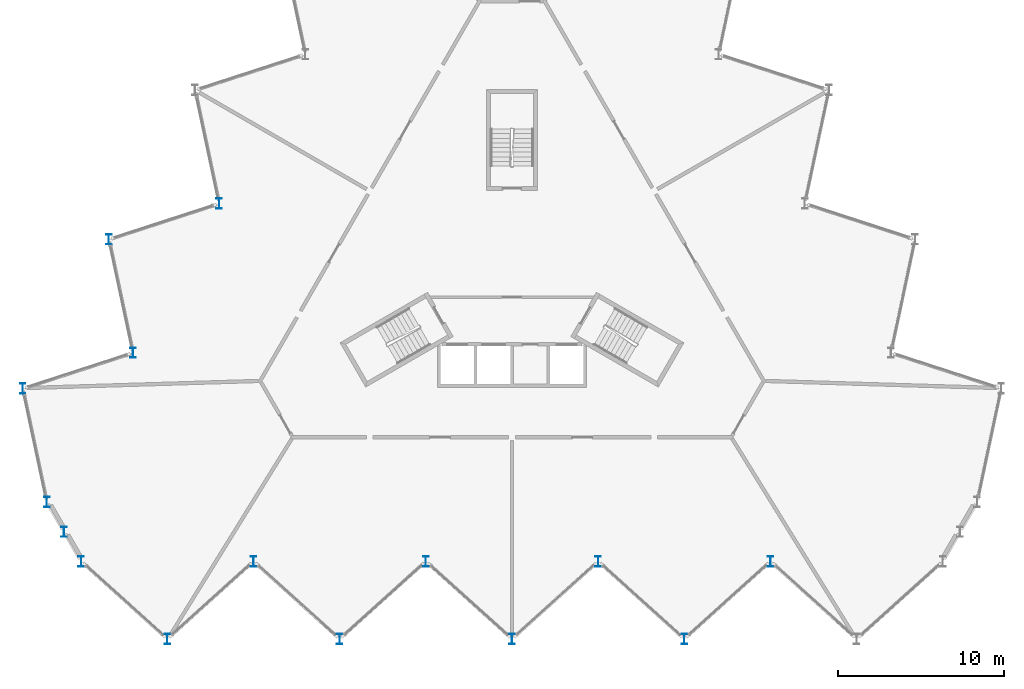
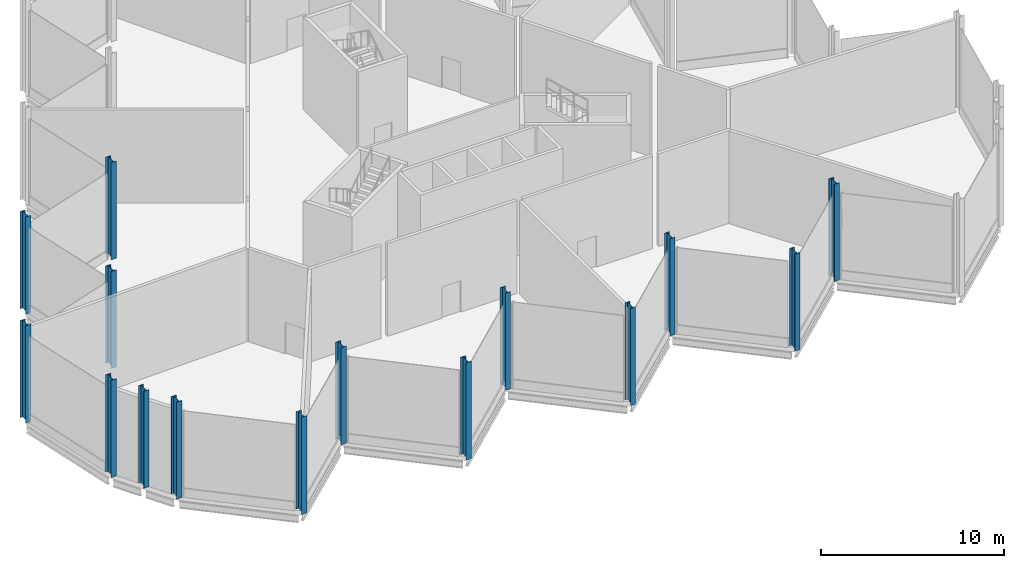
# One storey, part 1 of 12: 15 columns.
"""IFC4 building model written with IfcOpenShell, lengths in metres."""

from ifc_helpers import new_model, si_unit, direction, frame, origin, origin_2d, place, context, subcontext, project, spatial, i_section, extrude, material, material_profile, profile_set, type_object, element, save


model = new_model("IFC4")

# Units and contexts
model_context = context("Model", 3, precision=1e-05, world=origin(), true_north=direction((0.0, 1.0)))
body_context = subcontext(model_context, "Body", "Model", "MODEL_VIEW")
ifc_project = project(units=[si_unit("LENGTHUNIT", "METRE"), si_unit("AREAUNIT", "SQUARE_METRE"), si_unit("VOLUMEUNIT", "CUBIC_METRE"), si_unit("PLANEANGLEUNIT", "RADIAN"), si_unit("MASSUNIT", "GRAM", prefix="KILO")], contexts=[model_context])

# Site, building, storey
site_placement = place(None, origin())
site = spatial("IfcSite", under=ifc_project, at=site_placement, CompositionType="ELEMENT")
building_placement = place(site_placement, origin())
building = spatial("IfcBuilding", under=site, at=building_placement, Name="Cormorant Prow Tower", CompositionType="ELEMENT")
storey_placement = place(building_placement, frame((0.0, 0.0, 421.699951171875)))
storey = spatial("IfcBuildingStorey", under=building, at=storey_placement, Name="L95", CompositionType="ELEMENT", Elevation=421.699951171875)

# Columns
ifc_material = material(Name="Structural steel ASTM A992 Gr 50", Category="steel")
ifc_material_profile = material_profile(ifc_material, i_section(OverallWidth=0.326416015625, OverallDepth=0.621826171875, WebThickness=0.015380859375, FlangeThickness=0.0244140625, at=origin_2d()), Name="W24x131")
ifc_profile_set = profile_set([ifc_material_profile], Name="Structural steel ASTM A992 Gr 50")
column_type = type_object("IfcColumnType", Name="Crown frame column W24x131", PredefinedType="COLUMN", material=ifc_profile_set)
for number, where, z_axis, x_axis, name in (
    (1, (-26.0, -17.40576171875, 0.0), (0.0, 0.0, 1.0), (1.0, 0.0, 0.0), "Crown frame column at S00 L95"),
    (2, (-20.800048828125, -22.087890625, 0.0), (0.0, 0.0, 1.0), (1.0, 0.0, 0.0), "Crown frame column at S01 L95"),
    (3, (-15.60009765625, -17.40576171875, 0.0), (0.0, 0.0, 1.0), (1.0, 0.0, 0.0), "Crown frame column at S02 L95"),
    (4, (-10.39990234375, -22.087890625, 0.0), (0.0, 0.0, 1.0), (1.0, 0.0, 0.0), "Crown frame column at S03 L95"),
    (5, (-5.199951171875, -17.40576171875, 0.0), (0.0, 0.0, 1.0), (1.0, 0.0, 0.0), "Crown frame column at S04 L95"),
    (6, (0.0, -22.087890625, 0.0), (0.0, 0.0, 1.0), (1.0, 0.0, 0.0), "Crown frame column at S05 L95"),
    (7, (5.199951171875, -17.40576171875, 0.0), (0.0, 0.0, 1.0), (1.0, 0.0, 0.0), "Crown frame column at S06 L95"),
    (8, (10.39990234375, -22.087890625, 0.0), (0.0, 0.0, 1.0), (1.0, 0.0, 0.0), "Crown frame column at S07 L95"),
    (9, (15.60009765625, -17.40576171875, 0.0), (0.0, 0.0, 1.0), (1.0, 0.0, 0.0), "Crown frame column at S08 L95"),
    (10, (-17.673828125, 4.199462890625, 0.0), (0.0, 0.0, 1.0), (1.0, 0.0, 0.0), "Crown frame column at WNW06 L95"),
    (11, (-24.32861328125, 2.037353515625, 0.0), (0.0, 0.0, 1.0), (1.0, 0.0, 0.0), "Crown frame column at WNW07 L95"),
    (12, (-22.873779296875, -4.80712890625, 0.0), (0.0, 0.0, 1.0), (1.0, 0.0, 0.0), "Crown frame column at WNW08 L95"),
    (13, (-29.528564453125, -6.969482421875, 0.0), (0.0, 0.0, 1.0), (1.0, 0.0, 0.0), "Crown frame column at WNW09 L95"),
    (14, (-28.07373046875, -13.813720703125, 0.0), (0.0, 0.0, 1.0), (1.0, 0.0, 0.0), "Crown frame column at WSW00 L95"),
    (15, (-27.036865234375, -15.60986328125, 0.0), (0.0, 0.0, 1.0), (1.0, 0.0, 0.0), "Crown frame column at WSW01 L95"),
):
    element("IfcColumn", number, at=place(storey_placement, frame(where, z_axis=z_axis, x_axis=x_axis)), inside=storey, type_object=column_type, Name=name, PredefinedType="COLUMN", context=body_context, shape_type="SweptSolid", body=[
        extrude(i_section(OverallWidth=0.326416015625, OverallDepth=0.621826171875, WebThickness=0.015380859375, FlangeThickness=0.0244140625, at=origin_2d()), origin(), (0.0, 0.0, 1.0), 6.5),
    ])

save(model, "model.ifc")
